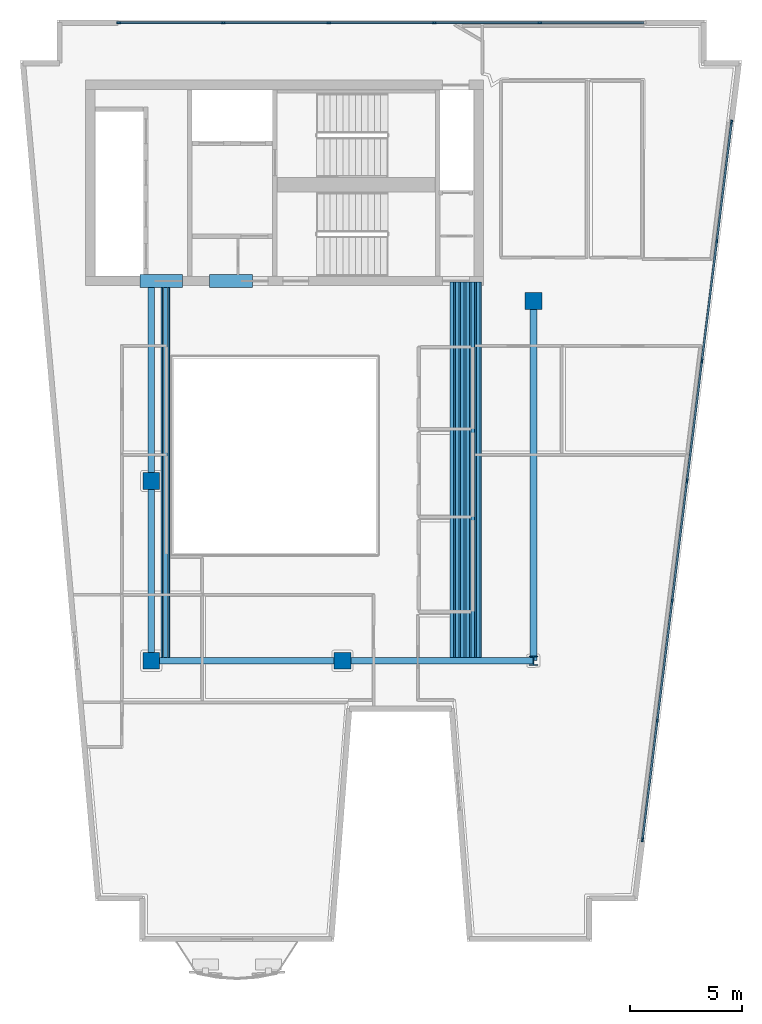
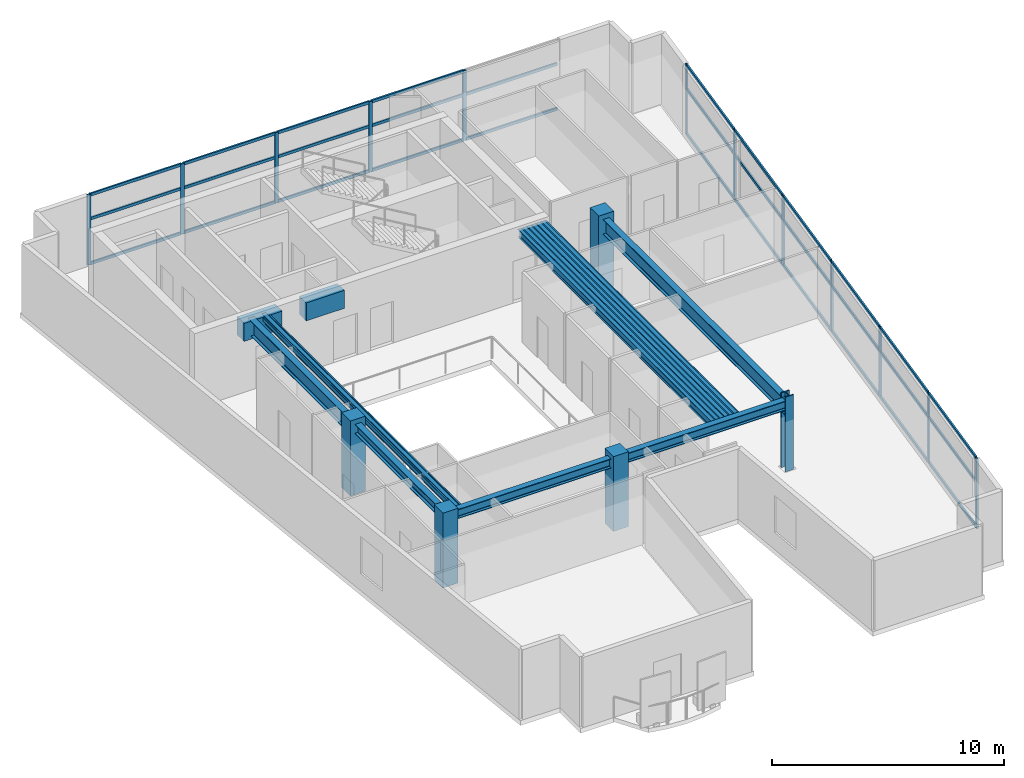
# One storey, part 1 of 8: 44 members, 22 beams, 5 columns, 2 elements without a shape of their own.
"""IFC4 building model written with IfcOpenShell, lengths in metres."""

from ifc_helpers import new_model, si_unit, direction, frame, origin, origin_2d, place, context, subcontext, project, spatial, rectangle, hollow_rectangle, i_section, extrude, material, layer, layer_set, material_profile, profile_set, type_object, element, aggregate, save


model = new_model("IFC4")

# Units and contexts
model_context = context("Model", 3, precision=1e-05, world=origin(), true_north=direction((0.0, 1.0)))
body_context = subcontext(model_context, "Body", "Model", "MODEL_VIEW")
ifc_project = project(units=[si_unit("LENGTHUNIT", "METRE"), si_unit("AREAUNIT", "SQUARE_METRE"), si_unit("VOLUMEUNIT", "CUBIC_METRE"), si_unit("PLANEANGLEUNIT", "RADIAN"), si_unit("MASSUNIT", "GRAM", prefix="KILO")], contexts=[model_context])

# Site, building, storey
site_placement = place(None, origin())
site = spatial("IfcSite", under=ifc_project, at=site_placement, CompositionType="ELEMENT")
building_placement = place(site_placement, origin())
building = spatial("IfcBuilding", under=site, at=building_placement, Name="Caeloran Harvest Quay", CompositionType="ELEMENT")
storey_placement = place(building_placement, frame((0.0, 0.0, 268.550048828125)))
storey = spatial("IfcBuildingStorey", under=building, at=storey_placement, Name="L64", CompositionType="ELEMENT", Elevation=268.550048828125)

# Columns
ifc_material_1 = material(Name="Concrete C60/75", Category="concrete")
ifc_material_profile_1 = material_profile(ifc_material_1, rectangle(XDim=0.75, YDim=0.75, at=origin_2d()), Name="RC 750x750")
ifc_profile_set_1 = profile_set([ifc_material_profile_1], Name="Concrete C60/75")
column_type_1 = type_object("IfcColumnType", Name="COL-MC-5-RC_750x750", PredefinedType="COLUMN", material=ifc_profile_set_1)
for number, where, z_axis, x_axis, name in (
    (1, (8.5, 15.0, 0.0), (0.0, 0.0, 1.0), (1.0, 0.0, 0.0), "L64 Structural Column (8.5, 15.0)"),
    (2, (8.5, 23.0, 0.0), (0.0, 0.0, 1.0), (1.0, 0.0, 0.0), "L64 Structural Column (8.5, 23.0)"),
    (3, (17.0, 15.0, 0.0), (0.0, 0.0, 1.0), (1.0, 0.0, 0.0), "L64 Structural Column (17.0, 15.0)"),
    (4, (25.5, 31.0, 0.0), (0.0, 0.0, 1.0), (1.0, 0.0, 0.0), "L64 Structural Column (25.5, 31.0)"),
):
    element("IfcColumn", number, at=place(storey_placement, frame(where, z_axis=z_axis, x_axis=x_axis)), inside=storey, type_object=column_type_1, Name=name, PredefinedType="COLUMN", context=body_context, shape_type="SweptSolid", body=[
        extrude(rectangle(XDim=0.75, YDim=0.75, at=origin_2d()), origin(), (0.0, 0.0, 1.0), 3.949951171875),
    ])
ifc_material_2 = material(Name="Steel HISTAR 460", Category="steel")
ifc_material_profile_2 = material_profile(ifc_material_2, i_section(OverallWidth=0.406005859375, OverallDepth=0.416015625, WebThickness=0.02978515625, FlangeThickness=0.048095703125, FilletRadius=0.014892578125, at=origin_2d()), Name="HD 400x382")
ifc_profile_set_2 = profile_set([ifc_material_profile_2], Name="Steel HISTAR 460")
column_type_2 = type_object("IfcColumnType", Name="COL-SC-5-HD_400x382", PredefinedType="COLUMN", material=ifc_profile_set_2)
column_placement = place(storey_placement, frame((25.5, 15.0, 0.0), z_axis=(0.0, 0.0, 1.0), x_axis=(1.0, 0.0, 0.0)))
element("IfcColumn", 5, at=column_placement, inside=storey, type_object=column_type_2, Name="L64 Structural Column (25.5, 15.0)", PredefinedType="COLUMN", context=body_context, shape_type="SweptSolid", body=[
    extrude(i_section(OverallWidth=0.406005859375, OverallDepth=0.416015625, WebThickness=0.02978515625, FlangeThickness=0.048095703125, FilletRadius=0.014892578125, at=origin_2d()), origin(), (0.0, 0.0, 1.0), 3.949951171875),
])

# Beams
ifc_material_profile_3 = material_profile(ifc_material_1, rectangle(XDim=0.60009765625, YDim=0.949951171875, at=origin_2d()), Name="RC 600x950")
ifc_profile_set_3 = profile_set([ifc_material_profile_3], Name="Concrete C60/75")
beam_type_1 = type_object("IfcBeamType", Name="BM-CB-2-RC_600x950", PredefinedType="LINTEL", material=ifc_profile_set_3)
for number, where, z_axis, x_axis, name in (
    (6, (8.0, 31.889892578125, 3.224853515625), (1.0, 0.0, 0.0), (0.0, 1.0, 0.0), "L64 Core Coupling Beam 1"),
    (7, (11.10009765625, 31.889892578125, 3.224853515625), (1.0, 0.0, 0.0), (0.0, 1.0, 0.0), "L64 Core Coupling Beam 2"),
):
    element("IfcBeam", number, at=place(storey_placement, frame(where, z_axis=z_axis, x_axis=x_axis)), inside=storey, type_object=beam_type_1, Name=name, PredefinedType="LINTEL", context=body_context, shape_type="SweptSolid", body=[
        extrude(rectangle(XDim=0.60009765625, YDim=0.949951171875, at=origin_2d()), origin(), (0.0, 0.0, 1.0), 1.89990234375),
    ])
ifc_material_3 = material(Name="Steel S355J2", Category="steel")
ifc_material_profile_4 = material_profile(ifc_material_3, i_section(OverallWidth=0.300048828125, OverallDepth=0.800048828125, WebThickness=0.017578125, FlangeThickness=0.032958984375, FilletRadius=0.030029296875, at=origin_2d()), Name="HE 800 B")
ifc_profile_set_4 = profile_set([ifc_material_profile_4], Name="Steel S355J2")
beam_type_2 = type_object("IfcBeamType", Name="BM-PG-1-HE_800_B", PredefinedType="BEAM", material=ifc_profile_set_4)
beam_1_placement = place(storey_placement, frame((8.5, 23.0, 3.300048828125), z_axis=(0.0, 1.0, 0.0), x_axis=(-1.0, 0.0, 0.0)))
element("IfcBeam", 8, at=beam_1_placement, inside=storey, type_object=beam_type_2, Name="L64 Core South Tie Girder X=8.5", PredefinedType="BEAM", context=body_context, shape_type="SweptSolid", body=[
    extrude(i_section(OverallWidth=0.300048828125, OverallDepth=0.800048828125, WebThickness=0.017578125, FlangeThickness=0.032958984375, FilletRadius=0.030029296875, at=origin_2d()), origin(), (0.0, 0.0, 1.0), 8.840087890625),
])
beam_2_placement = place(storey_placement, frame((25.5, 15.0, 3.300048828125), z_axis=(0.0, 1.0, 0.0), x_axis=(-1.0, 0.0, 0.0)))
element("IfcBeam", 9, at=beam_2_placement, inside=storey, type_object=beam_type_2, Name="L64 Primary North-South Girder X=25.5", PredefinedType="BEAM", context=body_context, shape_type="SweptSolid", body=[
    extrude(i_section(OverallWidth=0.300048828125, OverallDepth=0.800048828125, WebThickness=0.017578125, FlangeThickness=0.032958984375, FilletRadius=0.030029296875, at=origin_2d()), origin(), (0.0, 0.0, 1.0), 16.0),
])
ifc_material_profile_5 = material_profile(ifc_material_3, i_section(OverallWidth=0.300048828125, OverallDepth=0.5, WebThickness=0.014404296875, FlangeThickness=0.028076171875, FilletRadius=0.027099609375, at=origin_2d()), Name="HE 500 B")
ifc_profile_set_5 = profile_set([ifc_material_profile_5], Name="Steel S355J2")
beam_type_3 = type_object("IfcBeamType", Name="BM-PG-4-HE_500_B", PredefinedType="BEAM", material=ifc_profile_set_5)
for number, where, z_axis, x_axis, name in (
    (10, (8.5, 15.0, 3.449951171875), (1.0, 0.0, 0.0), (0.0, 1.0, 0.0), "L64 Primary East-West Girder Y=15.0"),
    (11, (17.0, 15.0, 3.449951171875), (1.0, 0.0, 0.0), (0.0, 1.0, 0.0), "L64 Primary East-West Girder Y=15.0"),
):
    element("IfcBeam", number, at=place(storey_placement, frame(where, z_axis=z_axis, x_axis=x_axis)), inside=storey, type_object=beam_type_3, Name=name, PredefinedType="BEAM", context=body_context, shape_type="SweptSolid", body=[
        extrude(i_section(OverallWidth=0.300048828125, OverallDepth=0.5, WebThickness=0.014404296875, FlangeThickness=0.028076171875, FilletRadius=0.027099609375, at=origin_2d()), origin(), (0.0, 0.0, 1.0), 8.5),
    ])
beam_3_placement = place(storey_placement, frame((8.5, 15.0, 3.449951171875), z_axis=(0.0, 1.0, 0.0), x_axis=(-1.0, 0.0, 0.0)))
element("IfcBeam", 12, at=beam_3_placement, inside=storey, type_object=beam_type_3, Name="L64 Primary North-South Girder X=8.5", PredefinedType="BEAM", context=body_context, shape_type="SweptSolid", body=[
    extrude(i_section(OverallWidth=0.300048828125, OverallDepth=0.5, WebThickness=0.014404296875, FlangeThickness=0.028076171875, FilletRadius=0.027099609375, at=origin_2d()), origin(), (0.0, 0.0, 1.0), 8.0),
])
ifc_material_profile_6 = material_profile(ifc_material_3, i_section(OverallWidth=0.179931640625, OverallDepth=0.39990234375, WebThickness=0.008544921875, FlangeThickness=0.013427734375, FilletRadius=0.02099609375, at=origin_2d()), Name="IPE 400")
ifc_profile_set_6 = profile_set([ifc_material_profile_6], Name="Steel S355J2")
beam_type_4 = type_object("IfcBeamType", Name="BM-SB-4-IPE_400", PredefinedType="JOIST", material=ifc_profile_set_6)
for number, where, z_axis, x_axis, name in (
    (13, (9.129638671875, 15.14501953125, 3.5), (0.0, 1.0, 0.0), (-1.0, 0.0, 0.0), "L64 Secondary Composite Joist"),
    (14, (21.876708984375, 15.14501953125, 3.5), (0.0, 1.0, 0.0), (-1.0, 0.0, 0.0), "L64 Secondary Composite Joist"),
    (15, (22.10888671875, 15.14501953125, 3.5), (0.0, 1.0, 0.0), (-1.0, 0.0, 0.0), "L64 Secondary Composite Joist"),
    (16, (22.341064453125, 15.14501953125, 3.5), (0.0, 1.0, 0.0), (-1.0, 0.0, 0.0), "L64 Secondary Composite Joist"),
    (17, (22.5732421875, 15.14501953125, 3.5), (0.0, 1.0, 0.0), (-1.0, 0.0, 0.0), "L64 Secondary Composite Joist"),
    (18, (22.8056640625, 15.14501953125, 3.5), (0.0, 1.0, 0.0), (-1.0, 0.0, 0.0), "L64 Secondary Composite Joist"),
    (19, (23.037841796875, 15.14501953125, 3.5), (0.0, 1.0, 0.0), (-1.0, 0.0, 0.0), "L64 Secondary Composite Joist"),
):
    element("IfcBeam", number, at=place(storey_placement, frame(where, z_axis=z_axis, x_axis=x_axis)), inside=storey, type_object=beam_type_4, Name=name, PredefinedType="JOIST", context=body_context, shape_type="SweptSolid", body=[
        extrude(i_section(OverallWidth=0.179931640625, OverallDepth=0.39990234375, WebThickness=0.008544921875, FlangeThickness=0.013427734375, FilletRadius=0.02099609375, at=origin_2d()), origin(), (0.0, 0.0, 1.0), 16.695068359375),
    ])
ifc_material_profile_7 = material_profile(ifc_material_3, hollow_rectangle(XDim=0.080078125, YDim=0.199951171875, WallThickness=0.006103515625, InnerFilletRadius=0.006103515625, OuterFilletRadius=0.009033203125, at=origin_2d()), Name="RHS 200x80x6")
ifc_profile_set_7 = profile_set([ifc_material_profile_7], Name="Steel S355J2")
beam_type_5 = type_object("IfcBeamType", Name="BM-SB-7-RHS_200x80x6", PredefinedType="JOIST", material=ifc_profile_set_7)
for number, where, z_axis, x_axis, name in (
    (20, (8.97216796875, 15.14501953125, 3.599853515625), (0.0, 1.0, 0.0), (-1.0, 0.0, 0.0), "L64 Secondary Composite Joist"),
    (21, (9.287109375, 15.14501953125, 3.599853515625), (0.0, 1.0, 0.0), (-1.0, 0.0, 0.0), "L64 Secondary Composite Joist"),
    (22, (21.992919921875, 15.14501953125, 3.599853515625), (0.0, 1.0, 0.0), (-1.0, 0.0, 0.0), "L64 Secondary Composite Joist"),
    (23, (22.22509765625, 15.14501953125, 3.599853515625), (0.0, 1.0, 0.0), (-1.0, 0.0, 0.0), "L64 Secondary Composite Joist"),
    (24, (22.457275390625, 15.14501953125, 3.599853515625), (0.0, 1.0, 0.0), (-1.0, 0.0, 0.0), "L64 Secondary Composite Joist"),
    (25, (22.689453125, 15.14501953125, 3.599853515625), (0.0, 1.0, 0.0), (-1.0, 0.0, 0.0), "L64 Secondary Composite Joist"),
    (26, (22.921630859375, 15.14501953125, 3.599853515625), (0.0, 1.0, 0.0), (-1.0, 0.0, 0.0), "L64 Secondary Composite Joist"),
    (27, (23.15380859375, 15.14501953125, 3.599853515625), (0.0, 1.0, 0.0), (-1.0, 0.0, 0.0), "L64 Secondary Composite Joist"),
):
    element("IfcBeam", number, at=place(storey_placement, frame(where, z_axis=z_axis, x_axis=x_axis)), inside=storey, type_object=beam_type_5, Name=name, PredefinedType="JOIST", context=body_context, shape_type="SweptSolid", body=[
        extrude(hollow_rectangle(XDim=0.080078125, YDim=0.199951171875, WallThickness=0.006103515625, InnerFilletRadius=0.006103515625, OuterFilletRadius=0.009033203125, at=origin_2d()), origin(), (0.0, 0.0, 1.0), 16.695068359375),
    ])

# Curtain wall, members
ifc_material_4 = material(Name="Aluminium 6063-T6 and Low-E Glazing", Category="aluminium")
ifc_layer = layer(ifc_material_4, 0.219970703125, Name="Aluminium 6063-T6 and Low-E Glazing")
ifc_layer_set = layer_set([ifc_layer], Name="Aluminium 6063-T6 and Low-E Glazing")
curtain_wall_type = type_object("IfcCurtainWallType", Name="CW-SYS-CW-5", PredefinedType="USERDEFINED", material=ifc_layer_set)
curtain_wall_1_placement = place(storey_placement, origin())
curtain_wall_1 = element("IfcCurtainWall", 28, at=curtain_wall_1_placement, inside=storey, type_object=curtain_wall_type, Name="L64 Unitised Curtain Wall CW-5 Run 6", ObjectType="CURTAIN_WALL", PredefinedType="USERDEFINED")
ifc_material_5 = material(Name="Aluminium 6063-T6", Category="aluminium")
ifc_material_profile_8 = material_profile(ifc_material_5, rectangle(XDim=0.080078125, YDim=0.179931640625, at=origin_2d()), Name="CW-MULLION-180")
ifc_profile_set_8 = profile_set([ifc_material_profile_8], Name="Aluminium 6063-T6")
member_type_1 = type_object("IfcMemberType", Name="CW-MULLION-180", PredefinedType="MULLION", material=ifc_profile_set_8)
member_1_placement = place(storey_placement, frame((7.06005859375, 43.3798828125, 0.0), z_axis=(0.0, 0.0, 1.0), x_axis=(0.0, 1.0, 0.0)))
member_1 = element("IfcMember", 29, at=member_1_placement, type_object=member_type_1, Name="CW-5 mullion 1", PredefinedType="MULLION", context=body_context, shape_type="SweptSolid", body=[
    extrude(rectangle(XDim=0.080078125, YDim=0.179931640625, at=origin_2d()), origin(), (0.0, 0.0, 1.0), 3.699951171875),
])
member_2_placement = place(storey_placement, frame((11.7119140625, 43.3798828125, 0.0), z_axis=(0.0, 0.0, 1.0), x_axis=(0.0, 1.0, 0.0)))
member_2 = element("IfcMember", 30, at=member_2_placement, type_object=member_type_1, Name="CW-5 mullion 2", PredefinedType="MULLION", context=body_context, shape_type="SweptSolid", body=[
    extrude(rectangle(XDim=0.080078125, YDim=0.179931640625, at=origin_2d()), origin(), (0.0, 0.0, 1.0), 3.699951171875),
])
member_3_placement = place(storey_placement, frame((16.404052734375, 43.3798828125, 0.0), z_axis=(0.0, 0.0, 1.0), x_axis=(0.0, 1.0, 0.0)))
member_3 = element("IfcMember", 31, at=member_3_placement, type_object=member_type_1, Name="CW-5 mullion 3", PredefinedType="MULLION", context=body_context, shape_type="SweptSolid", body=[
    extrude(rectangle(XDim=0.080078125, YDim=0.179931640625, at=origin_2d()), origin(), (0.0, 0.0, 1.0), 3.699951171875),
])
member_4_placement = place(storey_placement, frame((21.095947265625, 43.3798828125, 0.0), z_axis=(0.0, 0.0, 1.0), x_axis=(0.0, 1.0, 0.0)))
member_4 = element("IfcMember", 32, at=member_4_placement, type_object=member_type_1, Name="CW-5 mullion 4", PredefinedType="MULLION", context=body_context, shape_type="SweptSolid", body=[
    extrude(rectangle(XDim=0.080078125, YDim=0.179931640625, at=origin_2d()), origin(), (0.0, 0.0, 1.0), 3.699951171875),
])
member_5_placement = place(storey_placement, frame((25.7880859375, 43.3798828125, 0.0), z_axis=(0.0, 0.0, 1.0), x_axis=(0.0, 1.0, 0.0)))
member_5 = element("IfcMember", 33, at=member_5_placement, type_object=member_type_1, Name="CW-5 mullion 5", PredefinedType="MULLION", context=body_context, shape_type="SweptSolid", body=[
    extrude(rectangle(XDim=0.080078125, YDim=0.179931640625, at=origin_2d()), origin(), (0.0, 0.0, 1.0), 3.699951171875),
])

curtain_wall_2_placement = place(storey_placement, origin())
curtain_wall_2 = element("IfcCurtainWall", 34, at=curtain_wall_2_placement, inside=storey, type_object=curtain_wall_type, Name="L64 Unitised Curtain Wall CW-5 Run 9", ObjectType="CURTAIN_WALL", PredefinedType="USERDEFINED")
member_6_placement = place(storey_placement, frame((34.315673828125, 38.960205078125, 0.0), z_axis=(0.0, 0.0, 1.0), x_axis=(0.992383054958, -0.123190390176, 0.0)))
member_6 = element("IfcMember", 35, at=member_6_placement, type_object=member_type_1, Name="CW-5 mullion 1", PredefinedType="MULLION", context=body_context, shape_type="SweptSolid", body=[
    extrude(rectangle(XDim=0.080078125, YDim=0.179931640625, at=origin_2d()), origin(), (0.0, 0.0, 1.0), 3.699951171875),
])
member_7_placement = place(storey_placement, frame((33.658447265625, 33.66650390625, 0.0), z_axis=(0.0, 0.0, 1.0), x_axis=(0.992383054958, -0.123190390176, 0.0)))
member_7 = element("IfcMember", 36, at=member_7_placement, type_object=member_type_1, Name="CW-5 mullion 2", PredefinedType="MULLION", context=body_context, shape_type="SweptSolid", body=[
    extrude(rectangle(XDim=0.080078125, YDim=0.179931640625, at=origin_2d()), origin(), (0.0, 0.0, 1.0), 3.699951171875),
])
member_8_placement = place(storey_placement, frame((32.996337890625, 28.333251953125, 0.0), z_axis=(0.0, 0.0, 1.0), x_axis=(0.992383054958, -0.123190390176, 0.0)))
member_8 = element("IfcMember", 37, at=member_8_placement, type_object=member_type_1, Name="CW-5 mullion 3", PredefinedType="MULLION", context=body_context, shape_type="SweptSolid", body=[
    extrude(rectangle(XDim=0.080078125, YDim=0.179931640625, at=origin_2d()), origin(), (0.0, 0.0, 1.0), 3.699951171875),
])
member_9_placement = place(storey_placement, frame((32.334228515625, 23.0, 0.0), z_axis=(0.0, 0.0, 1.0), x_axis=(0.992383054958, -0.123190390176, 0.0)))
member_9 = element("IfcMember", 38, at=member_9_placement, type_object=member_type_1, Name="CW-5 mullion 4", PredefinedType="MULLION", context=body_context, shape_type="SweptSolid", body=[
    extrude(rectangle(XDim=0.080078125, YDim=0.179931640625, at=origin_2d()), origin(), (0.0, 0.0, 1.0), 3.699951171875),
])
member_10_placement = place(storey_placement, frame((31.67236328125, 17.666748046875, 0.0), z_axis=(0.0, 0.0, 1.0), x_axis=(0.992383054958, -0.123190390176, 0.0)))
member_10 = element("IfcMember", 39, at=member_10_placement, type_object=member_type_1, Name="CW-5 mullion 5", PredefinedType="MULLION", context=body_context, shape_type="SweptSolid", body=[
    extrude(rectangle(XDim=0.080078125, YDim=0.179931640625, at=origin_2d()), origin(), (0.0, 0.0, 1.0), 3.699951171875),
])
member_11_placement = place(storey_placement, frame((31.01025390625, 12.33349609375, 0.0), z_axis=(0.0, 0.0, 1.0), x_axis=(0.992383054958, -0.123190390176, 0.0)))
member_11 = element("IfcMember", 40, at=member_11_placement, type_object=member_type_1, Name="CW-5 mullion 6", PredefinedType="MULLION", context=body_context, shape_type="SweptSolid", body=[
    extrude(rectangle(XDim=0.080078125, YDim=0.179931640625, at=origin_2d()), origin(), (0.0, 0.0, 1.0), 3.699951171875),
])
member_12_placement = place(storey_placement, frame((30.35302734375, 7.039794921875, 0.0), z_axis=(0.0, 0.0, 1.0), x_axis=(0.992383054958, -0.123190390176, 0.0)))
member_12 = element("IfcMember", 41, at=member_12_placement, type_object=member_type_1, Name="CW-5 mullion 7", PredefinedType="MULLION", context=body_context, shape_type="SweptSolid", body=[
    extrude(rectangle(XDim=0.080078125, YDim=0.179931640625, at=origin_2d()), origin(), (0.0, 0.0, 1.0), 3.699951171875),
])

# Member
ifc_material_profile_9 = material_profile(ifc_material_5, rectangle(XDim=0.080078125, YDim=0.14990234375, at=origin_2d()), Name="CW-TRANSOM-150")
ifc_profile_set_9 = profile_set([ifc_material_profile_9], Name="Aluminium 6063-T6")
member_type_2 = type_object("IfcMemberType", Name="CW-TRANSOM-150", PredefinedType="USERDEFINED", material=ifc_profile_set_9)
member_13_placement = place(storey_placement, frame((7.10009765625, 43.3798828125, 0.0400390625), z_axis=(1.0, 0.0, 0.0), x_axis=(0.0, 1.0, 0.0)))
member_13 = element("IfcMember", 42, at=member_13_placement, type_object=member_type_2, Name="CW-5 transom 1.1", ObjectType="TRANSOM", PredefinedType="USERDEFINED", context=body_context, shape_type="SweptSolid", body=[
    extrude(rectangle(XDim=0.080078125, YDim=0.14990234375, at=origin_2d()), origin(), (0.0, 0.0, 1.0), 4.572021484375),
])

member_14_placement = place(storey_placement, frame((7.10009765625, 43.3798828125, 2.39990234375), z_axis=(1.0, 0.0, 0.0), x_axis=(0.0, 1.0, 0.0)))
member_14 = element("IfcMember", 43, at=member_14_placement, type_object=member_type_2, Name="CW-5 transom 1.2", ObjectType="TRANSOM", PredefinedType="USERDEFINED", context=body_context, shape_type="SweptSolid", body=[
    extrude(rectangle(XDim=0.080078125, YDim=0.14990234375, at=origin_2d()), origin(), (0.0, 0.0, 1.0), 4.572021484375),
])

member_15_placement = place(storey_placement, frame((7.10009765625, 43.3798828125, 3.659912109375), z_axis=(1.0, 0.0, 0.0), x_axis=(0.0, 1.0, 0.0)))
member_15 = element("IfcMember", 44, at=member_15_placement, type_object=member_type_2, Name="CW-5 transom 1.3", ObjectType="TRANSOM", PredefinedType="USERDEFINED", context=body_context, shape_type="SweptSolid", body=[
    extrude(rectangle(XDim=0.080078125, YDim=0.14990234375, at=origin_2d()), origin(), (0.0, 0.0, 1.0), 4.572021484375),
])

member_16_placement = place(storey_placement, frame((11.751953125, 43.3798828125, 0.0400390625), z_axis=(1.0, 0.0, 0.0), x_axis=(0.0, 1.0, 0.0)))
member_16 = element("IfcMember", 45, at=member_16_placement, type_object=member_type_2, Name="CW-5 transom 2.1", ObjectType="TRANSOM", PredefinedType="USERDEFINED", context=body_context, shape_type="SweptSolid", body=[
    extrude(rectangle(XDim=0.080078125, YDim=0.14990234375, at=origin_2d()), origin(), (0.0, 0.0, 1.0), 4.612060546875),
])

member_17_placement = place(storey_placement, frame((11.751953125, 43.3798828125, 2.39990234375), z_axis=(1.0, 0.0, 0.0), x_axis=(0.0, 1.0, 0.0)))
member_17 = element("IfcMember", 46, at=member_17_placement, type_object=member_type_2, Name="CW-5 transom 2.2", ObjectType="TRANSOM", PredefinedType="USERDEFINED", context=body_context, shape_type="SweptSolid", body=[
    extrude(rectangle(XDim=0.080078125, YDim=0.14990234375, at=origin_2d()), origin(), (0.0, 0.0, 1.0), 4.612060546875),
])

member_18_placement = place(storey_placement, frame((11.751953125, 43.3798828125, 3.659912109375), z_axis=(1.0, 0.0, 0.0), x_axis=(0.0, 1.0, 0.0)))
member_18 = element("IfcMember", 47, at=member_18_placement, type_object=member_type_2, Name="CW-5 transom 2.3", ObjectType="TRANSOM", PredefinedType="USERDEFINED", context=body_context, shape_type="SweptSolid", body=[
    extrude(rectangle(XDim=0.080078125, YDim=0.14990234375, at=origin_2d()), origin(), (0.0, 0.0, 1.0), 4.612060546875),
])

member_19_placement = place(storey_placement, frame((16.444091796875, 43.3798828125, 0.0400390625), z_axis=(1.0, 0.0, 0.0), x_axis=(0.0, 1.0, 0.0)))
member_19 = element("IfcMember", 48, at=member_19_placement, type_object=member_type_2, Name="CW-5 transom 3.1", ObjectType="TRANSOM", PredefinedType="USERDEFINED", context=body_context, shape_type="SweptSolid", body=[
    extrude(rectangle(XDim=0.080078125, YDim=0.14990234375, at=origin_2d()), origin(), (0.0, 0.0, 1.0), 4.61181640625),
])

member_20_placement = place(storey_placement, frame((16.444091796875, 43.3798828125, 2.39990234375), z_axis=(1.0, 0.0, 0.0), x_axis=(0.0, 1.0, 0.0)))
member_20 = element("IfcMember", 49, at=member_20_placement, type_object=member_type_2, Name="CW-5 transom 3.2", ObjectType="TRANSOM", PredefinedType="USERDEFINED", context=body_context, shape_type="SweptSolid", body=[
    extrude(rectangle(XDim=0.080078125, YDim=0.14990234375, at=origin_2d()), origin(), (0.0, 0.0, 1.0), 4.61181640625),
])

member_21_placement = place(storey_placement, frame((16.444091796875, 43.3798828125, 3.659912109375), z_axis=(1.0, 0.0, 0.0), x_axis=(0.0, 1.0, 0.0)))
member_21 = element("IfcMember", 50, at=member_21_placement, type_object=member_type_2, Name="CW-5 transom 3.3", ObjectType="TRANSOM", PredefinedType="USERDEFINED", context=body_context, shape_type="SweptSolid", body=[
    extrude(rectangle(XDim=0.080078125, YDim=0.14990234375, at=origin_2d()), origin(), (0.0, 0.0, 1.0), 4.61181640625),
])

member_22_placement = place(storey_placement, frame((21.135986328125, 43.3798828125, 0.0400390625), z_axis=(1.0, 0.0, 0.0), x_axis=(0.0, 1.0, 0.0)))
member_22 = element("IfcMember", 51, at=member_22_placement, type_object=member_type_2, Name="CW-5 transom 4.1", ObjectType="TRANSOM", PredefinedType="USERDEFINED", context=body_context, shape_type="SweptSolid", body=[
    extrude(rectangle(XDim=0.080078125, YDim=0.14990234375, at=origin_2d()), origin(), (0.0, 0.0, 1.0), 4.612060546875),
])

member_23_placement = place(storey_placement, frame((21.135986328125, 43.3798828125, 2.39990234375), z_axis=(1.0, 0.0, 0.0), x_axis=(0.0, 1.0, 0.0)))
member_23 = element("IfcMember", 52, at=member_23_placement, type_object=member_type_2, Name="CW-5 transom 4.2", ObjectType="TRANSOM", PredefinedType="USERDEFINED", context=body_context, shape_type="SweptSolid", body=[
    extrude(rectangle(XDim=0.080078125, YDim=0.14990234375, at=origin_2d()), origin(), (0.0, 0.0, 1.0), 4.612060546875),
])

member_24_placement = place(storey_placement, frame((21.135986328125, 43.3798828125, 3.659912109375), z_axis=(1.0, 0.0, 0.0), x_axis=(0.0, 1.0, 0.0)))
member_24 = element("IfcMember", 53, at=member_24_placement, type_object=member_type_2, Name="CW-5 transom 4.3", ObjectType="TRANSOM", PredefinedType="USERDEFINED", context=body_context, shape_type="SweptSolid", body=[
    extrude(rectangle(XDim=0.080078125, YDim=0.14990234375, at=origin_2d()), origin(), (0.0, 0.0, 1.0), 4.612060546875),
])

member_25_placement = place(storey_placement, frame((25.827880859375, 43.3798828125, 0.0400390625), z_axis=(1.0, 0.0, 0.0), x_axis=(0.0, 1.0, 0.0)))
member_25 = element("IfcMember", 54, at=member_25_placement, type_object=member_type_2, Name="CW-5 transom 5.1", ObjectType="TRANSOM", PredefinedType="USERDEFINED", context=body_context, shape_type="SweptSolid", body=[
    extrude(rectangle(XDim=0.080078125, YDim=0.14990234375, at=origin_2d()), origin(), (0.0, 0.0, 1.0), 4.572021484375),
])

member_26_placement = place(storey_placement, frame((25.827880859375, 43.3798828125, 2.39990234375), z_axis=(1.0, 0.0, 0.0), x_axis=(0.0, 1.0, 0.0)))
member_26 = element("IfcMember", 55, at=member_26_placement, type_object=member_type_2, Name="CW-5 transom 5.2", ObjectType="TRANSOM", PredefinedType="USERDEFINED", context=body_context, shape_type="SweptSolid", body=[
    extrude(rectangle(XDim=0.080078125, YDim=0.14990234375, at=origin_2d()), origin(), (0.0, 0.0, 1.0), 4.572021484375),
])

aggregate(curtain_wall_1, [member_1, member_2, member_3, member_4, member_5, member_13, member_14, member_15, member_16, member_17, member_18, member_19, member_20, member_21, member_22, member_23, member_24, member_25, member_26])

member_27_placement = place(storey_placement, frame((34.310546875, 38.92041015625, 0.0400390625), z_axis=(-0.123182565602, -0.992384026238, 0.0), x_axis=(0.992384026238, -0.123182565602, 0.0)))
member_27 = element("IfcMember", 56, at=member_27_placement, type_object=member_type_2, Name="CW-5 transom 1.1", ObjectType="TRANSOM", PredefinedType="USERDEFINED", context=body_context, shape_type="SweptSolid", body=[
    extrude(rectangle(XDim=0.080078125, YDim=0.14990234375, at=origin_2d()), origin(), (0.0, 0.0, 1.0), 5.254150390625),
])

member_28_placement = place(storey_placement, frame((34.310546875, 38.92041015625, 2.39990234375), z_axis=(-0.123182565602, -0.992384026238, 0.0), x_axis=(0.992384026238, -0.123182565602, 0.0)))
member_28 = element("IfcMember", 57, at=member_28_placement, type_object=member_type_2, Name="CW-5 transom 1.2", ObjectType="TRANSOM", PredefinedType="USERDEFINED", context=body_context, shape_type="SweptSolid", body=[
    extrude(rectangle(XDim=0.080078125, YDim=0.14990234375, at=origin_2d()), origin(), (0.0, 0.0, 1.0), 5.254150390625),
])

member_29_placement = place(storey_placement, frame((34.310546875, 38.92041015625, 3.659912109375), z_axis=(-0.123182565602, -0.992384026238, 0.0), x_axis=(0.992384026238, -0.123182565602, 0.0)))
member_29 = element("IfcMember", 58, at=member_29_placement, type_object=member_type_2, Name="CW-5 transom 1.3", ObjectType="TRANSOM", PredefinedType="USERDEFINED", context=body_context, shape_type="SweptSolid", body=[
    extrude(rectangle(XDim=0.080078125, YDim=0.14990234375, at=origin_2d()), origin(), (0.0, 0.0, 1.0), 5.254150390625),
])

member_30_placement = place(storey_placement, frame((33.653564453125, 33.626953125, 0.0400390625), z_axis=(-0.12321740526, -0.992379701042, 0.0), x_axis=(0.992379701042, -0.12321740526, 0.0)))
member_30 = element("IfcMember", 59, at=member_30_placement, type_object=member_type_2, Name="CW-5 transom 2.1", ObjectType="TRANSOM", PredefinedType="USERDEFINED", context=body_context, shape_type="SweptSolid", body=[
    extrude(rectangle(XDim=0.080078125, YDim=0.14990234375, at=origin_2d()), origin(), (0.0, 0.0, 1.0), 5.294189453125),
])

member_31_placement = place(storey_placement, frame((33.653564453125, 33.626953125, 2.39990234375), z_axis=(-0.12321740526, -0.992379701042, 0.0), x_axis=(0.992379701042, -0.12321740526, 0.0)))
member_31 = element("IfcMember", 60, at=member_31_placement, type_object=member_type_2, Name="CW-5 transom 2.2", ObjectType="TRANSOM", PredefinedType="USERDEFINED", context=body_context, shape_type="SweptSolid", body=[
    extrude(rectangle(XDim=0.080078125, YDim=0.14990234375, at=origin_2d()), origin(), (0.0, 0.0, 1.0), 5.294189453125),
])

member_32_placement = place(storey_placement, frame((33.653564453125, 33.626953125, 3.659912109375), z_axis=(-0.12321740526, -0.992379701042, 0.0), x_axis=(0.992379701042, -0.12321740526, 0.0)))
member_32 = element("IfcMember", 61, at=member_32_placement, type_object=member_type_2, Name="CW-5 transom 2.3", ObjectType="TRANSOM", PredefinedType="USERDEFINED", context=body_context, shape_type="SweptSolid", body=[
    extrude(rectangle(XDim=0.080078125, YDim=0.14990234375, at=origin_2d()), origin(), (0.0, 0.0, 1.0), 5.294189453125),
])

member_33_placement = place(storey_placement, frame((32.991455078125, 28.29345703125, 0.0400390625), z_axis=(-0.123177627733, -0.992384639153, 0.0), x_axis=(0.992384639153, -0.123177627733, 0.0)))
member_33 = element("IfcMember", 62, at=member_33_placement, type_object=member_type_2, Name="CW-5 transom 3.1", ObjectType="TRANSOM", PredefinedType="USERDEFINED", context=body_context, shape_type="SweptSolid", body=[
    extrude(rectangle(XDim=0.080078125, YDim=0.14990234375, at=origin_2d()), origin(), (0.0, 0.0, 1.0), 5.2939453125),
])

member_34_placement = place(storey_placement, frame((32.991455078125, 28.29345703125, 2.39990234375), z_axis=(-0.123177627733, -0.992384639153, 0.0), x_axis=(0.992384639153, -0.123177627733, 0.0)))
member_34 = element("IfcMember", 63, at=member_34_placement, type_object=member_type_2, Name="CW-5 transom 3.2", ObjectType="TRANSOM", PredefinedType="USERDEFINED", context=body_context, shape_type="SweptSolid", body=[
    extrude(rectangle(XDim=0.080078125, YDim=0.14990234375, at=origin_2d()), origin(), (0.0, 0.0, 1.0), 5.2939453125),
])

member_35_placement = place(storey_placement, frame((32.991455078125, 28.29345703125, 3.659912109375), z_axis=(-0.123177627733, -0.992384639153, 0.0), x_axis=(0.992384639153, -0.123177627733, 0.0)))
member_35 = element("IfcMember", 64, at=member_35_placement, type_object=member_type_2, Name="CW-5 transom 3.3", ObjectType="TRANSOM", PredefinedType="USERDEFINED", context=body_context, shape_type="SweptSolid", body=[
    extrude(rectangle(XDim=0.080078125, YDim=0.14990234375, at=origin_2d()), origin(), (0.0, 0.0, 1.0), 5.2939453125),
])

member_36_placement = place(storey_placement, frame((32.329345703125, 22.960205078125, 0.0400390625), z_axis=(-0.123177627733, -0.992384639153, 0.0), x_axis=(0.992384639153, -0.123177627733, 0.0)))
member_36 = element("IfcMember", 65, at=member_36_placement, type_object=member_type_2, Name="CW-5 transom 4.1", ObjectType="TRANSOM", PredefinedType="USERDEFINED", context=body_context, shape_type="SweptSolid", body=[
    extrude(rectangle(XDim=0.080078125, YDim=0.14990234375, at=origin_2d()), origin(), (0.0, 0.0, 1.0), 5.2939453125),
])

member_37_placement = place(storey_placement, frame((32.329345703125, 22.960205078125, 2.39990234375), z_axis=(-0.123177627733, -0.992384639153, 0.0), x_axis=(0.992384639153, -0.123177627733, 0.0)))
member_37 = element("IfcMember", 66, at=member_37_placement, type_object=member_type_2, Name="CW-5 transom 4.2", ObjectType="TRANSOM", PredefinedType="USERDEFINED", context=body_context, shape_type="SweptSolid", body=[
    extrude(rectangle(XDim=0.080078125, YDim=0.14990234375, at=origin_2d()), origin(), (0.0, 0.0, 1.0), 5.2939453125),
])

member_38_placement = place(storey_placement, frame((32.329345703125, 22.960205078125, 3.659912109375), z_axis=(-0.123177627733, -0.992384639153, 0.0), x_axis=(0.992384639153, -0.123177627733, 0.0)))
member_38 = element("IfcMember", 67, at=member_38_placement, type_object=member_type_2, Name="CW-5 transom 4.3", ObjectType="TRANSOM", PredefinedType="USERDEFINED", context=body_context, shape_type="SweptSolid", body=[
    extrude(rectangle(XDim=0.080078125, YDim=0.14990234375, at=origin_2d()), origin(), (0.0, 0.0, 1.0), 5.2939453125),
])

member_39_placement = place(storey_placement, frame((31.66748046875, 17.626953125, 0.0400390625), z_axis=(-0.12321740526, -0.992379701042, 0.0), x_axis=(0.992379701042, -0.12321740526, 0.0)))
member_39 = element("IfcMember", 68, at=member_39_placement, type_object=member_type_2, Name="CW-5 transom 5.1", ObjectType="TRANSOM", PredefinedType="USERDEFINED", context=body_context, shape_type="SweptSolid", body=[
    extrude(rectangle(XDim=0.080078125, YDim=0.14990234375, at=origin_2d()), origin(), (0.0, 0.0, 1.0), 5.294189453125),
])

member_40_placement = place(storey_placement, frame((31.66748046875, 17.626953125, 2.39990234375), z_axis=(-0.12321740526, -0.992379701042, 0.0), x_axis=(0.992379701042, -0.12321740526, 0.0)))
member_40 = element("IfcMember", 69, at=member_40_placement, type_object=member_type_2, Name="CW-5 transom 5.2", ObjectType="TRANSOM", PredefinedType="USERDEFINED", context=body_context, shape_type="SweptSolid", body=[
    extrude(rectangle(XDim=0.080078125, YDim=0.14990234375, at=origin_2d()), origin(), (0.0, 0.0, 1.0), 5.294189453125),
])

member_41_placement = place(storey_placement, frame((31.66748046875, 17.626953125, 3.659912109375), z_axis=(-0.12321740526, -0.992379701042, 0.0), x_axis=(0.992379701042, -0.12321740526, 0.0)))
member_41 = element("IfcMember", 70, at=member_41_placement, type_object=member_type_2, Name="CW-5 transom 5.3", ObjectType="TRANSOM", PredefinedType="USERDEFINED", context=body_context, shape_type="SweptSolid", body=[
    extrude(rectangle(XDim=0.080078125, YDim=0.14990234375, at=origin_2d()), origin(), (0.0, 0.0, 1.0), 5.294189453125),
])

member_42_placement = place(storey_placement, frame((31.00537109375, 12.293701171875, 0.0400390625), z_axis=(-0.123182565602, -0.992384026238, 0.0), x_axis=(0.992384026238, -0.123182565602, 0.0)))
member_42 = element("IfcMember", 71, at=member_42_placement, type_object=member_type_2, Name="CW-5 transom 6.1", ObjectType="TRANSOM", PredefinedType="USERDEFINED", context=body_context, shape_type="SweptSolid", body=[
    extrude(rectangle(XDim=0.080078125, YDim=0.14990234375, at=origin_2d()), origin(), (0.0, 0.0, 1.0), 5.254150390625),
])

member_43_placement = place(storey_placement, frame((31.00537109375, 12.293701171875, 2.39990234375), z_axis=(-0.123182565602, -0.992384026238, 0.0), x_axis=(0.992384026238, -0.123182565602, 0.0)))
member_43 = element("IfcMember", 72, at=member_43_placement, type_object=member_type_2, Name="CW-5 transom 6.2", ObjectType="TRANSOM", PredefinedType="USERDEFINED", context=body_context, shape_type="SweptSolid", body=[
    extrude(rectangle(XDim=0.080078125, YDim=0.14990234375, at=origin_2d()), origin(), (0.0, 0.0, 1.0), 5.254150390625),
])

member_44_placement = place(storey_placement, frame((31.00537109375, 12.293701171875, 3.659912109375), z_axis=(-0.123182565602, -0.992384026238, 0.0), x_axis=(0.992384026238, -0.123182565602, 0.0)))
member_44 = element("IfcMember", 73, at=member_44_placement, type_object=member_type_2, Name="CW-5 transom 6.3", ObjectType="TRANSOM", PredefinedType="USERDEFINED", context=body_context, shape_type="SweptSolid", body=[
    extrude(rectangle(XDim=0.080078125, YDim=0.14990234375, at=origin_2d()), origin(), (0.0, 0.0, 1.0), 5.254150390625),
])

aggregate(curtain_wall_2, [member_6, member_7, member_8, member_9, member_10, member_11, member_12, member_27, member_28, member_29, member_30, member_31, member_32, member_33, member_34, member_35, member_36, member_37, member_38, member_39, member_40, member_41, member_42, member_43, member_44])

save(model, "model.ifc")
